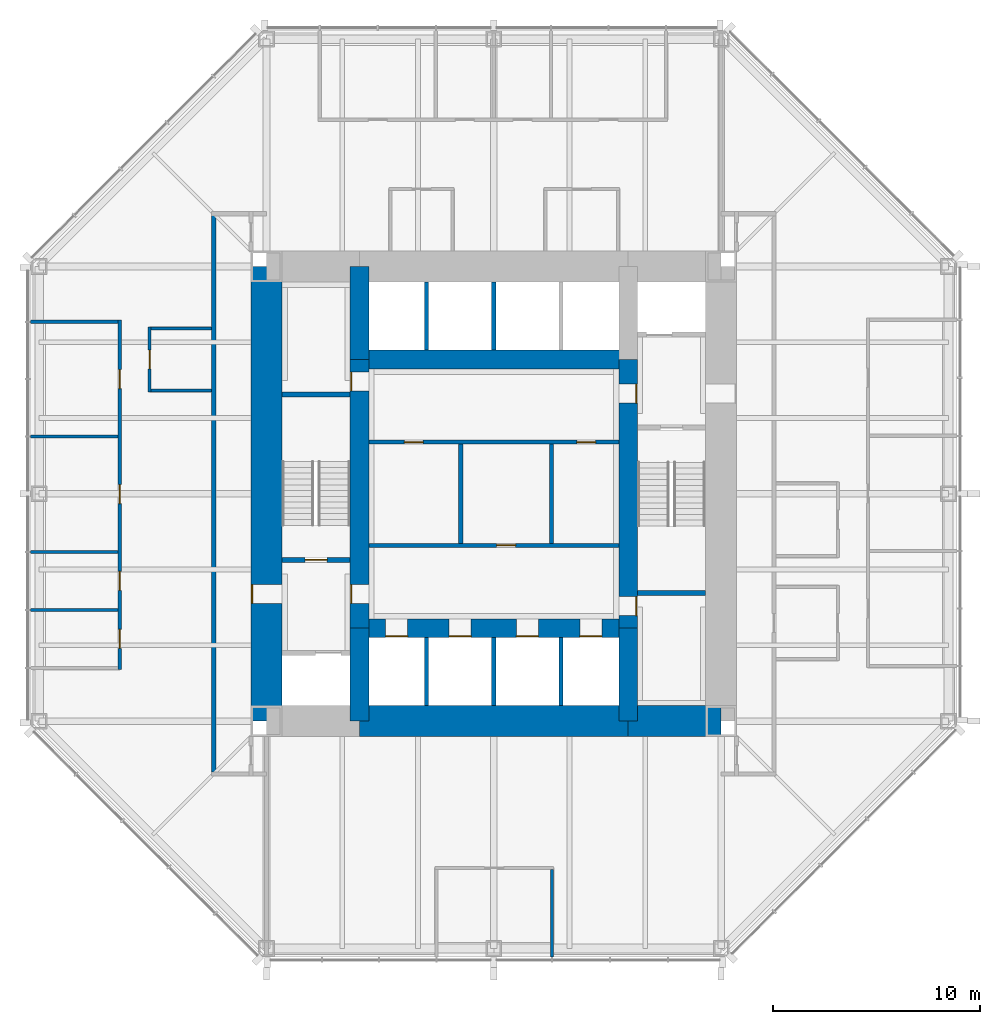
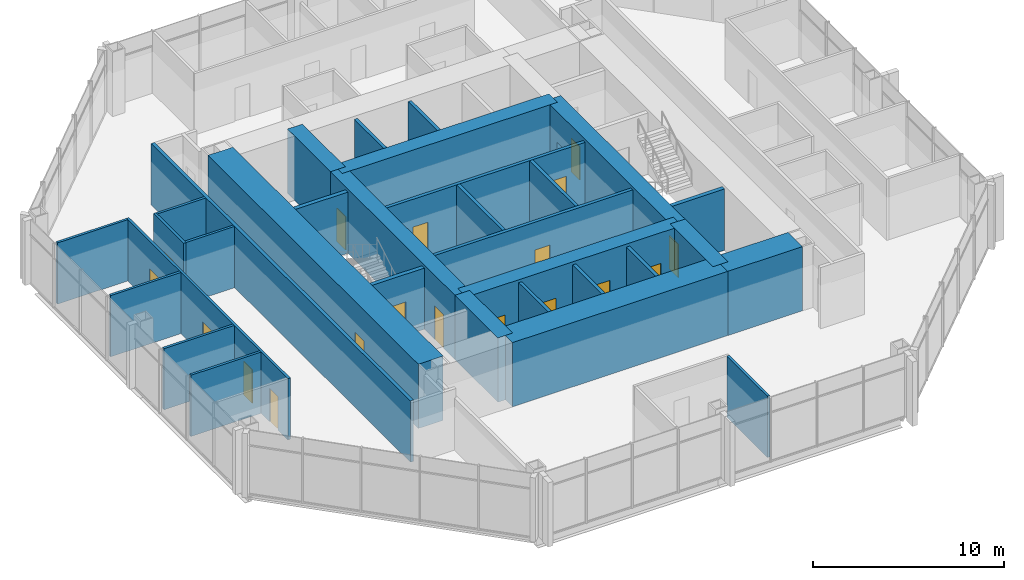
# One storey, part 9 of 12: 32 walls, 18 doors, 18 openings.
"""IFC4 building model written with IfcOpenShell, lengths in metres."""

from ifc_helpers import new_model, si_unit, direction, frame, frame_2d, origin, place, context, subcontext, project, spatial, rectangle, extrude, material, layer, layer_set, type_object, element, fill, save


model = new_model("IFC4")

# Units and contexts
model_context = context("Model", 3, precision=1e-05, world=origin(), true_north=direction((0.0, 1.0)))
body_context = subcontext(model_context, "Body", "Model", "MODEL_VIEW")
ifc_project = project(units=[si_unit("LENGTHUNIT", "METRE"), si_unit("AREAUNIT", "SQUARE_METRE"), si_unit("VOLUMEUNIT", "CUBIC_METRE"), si_unit("PLANEANGLEUNIT", "RADIAN"), si_unit("MASSUNIT", "GRAM", prefix="KILO")], contexts=[model_context])

# Site, building, storey
site_placement = place(None, origin())
site = spatial("IfcSite", under=ifc_project, at=site_placement, CompositionType="ELEMENT")
building_placement = place(site_placement, origin())
building = spatial("IfcBuilding", under=site, at=building_placement, Name="Trevanion Tower", CompositionType="ELEMENT")
storey_placement = place(building_placement, frame((0.0, 0.0, 125.39990234375)))
storey = spatial("IfcBuildingStorey", under=building, at=storey_placement, Name="L29", CompositionType="ELEMENT", Elevation=125.39990234375)

# Wall, opening, door
ifc_material_1 = material(Name="Concrete 10,000 psi", Category="concrete")
ifc_layer_1 = layer(ifc_material_1, 1.5)
ifc_layer_set_1 = layer_set([ifc_layer_1], Name="CW1 core wall 1500")
wall_type_1 = type_object("IfcWallType", Name="CW1 core wall 1500", PredefinedType="SHEAR", material=ifc_layer_set_1)
wall_1_placement = place(storey_placement, frame((-11.0, 11.0, 0.0), z_axis=(0.0, 0.0, 1.0), x_axis=(0.0, -1.0, 0.0)))
wall_1 = element("IfcWall", 1, at=wall_1_placement, inside=storey, type_object=wall_type_1, Name="CW1 CW L29", PredefinedType="SHEAR", context=body_context, shape_type="SweptSolid", body=[
    extrude(rectangle(XDim=22.0, YDim=1.5, at=frame_2d((11.0, 0.0))), origin(), (0.0, 0.0, 1.0), 4.10009765625),
])
opening_1_placement = place(wall_1_placement, frame((15.392578125, 0.0, 0.0)))
opening_1 = element("IfcOpeningElement", 2, at=opening_1_placement, cuts=wall_1, Name="Opening 29-002", PredefinedType="OPENING", context=body_context, shape_type="SweptSolid", body=[
    extrude(rectangle(XDim=0.9150390625, YDim=2.134033203125, at=frame_2d((0.45751953125, 1.06689453125))), frame((0.0, 0.760009765625, 0.0), z_axis=(0.0, -1.0, 0.0), x_axis=(1.0, 0.0, 0.0)), (0.0, 0.0, 1.0), 1.52001953125),
])
ifc_material_2 = material(Name="Hollow metal, fire rated", Category="steel")
door_type_1 = type_object("IfcDoorType", Name="D3 fire lift lobby door", OperationType="SINGLE_SWING_RIGHT", PredefinedType="DOOR", material=ifc_material_2)
door_1_placement = place(opening_1_placement, origin())
door_1 = element("IfcDoor", 3, at=door_1_placement, inside=storey, type_object=door_type_1, Name="Door 29-002", OperationType="SINGLE_SWING_RIGHT", OverallHeight=2.134033203125, OverallWidth=0.9150390625, PredefinedType="DOOR", context=body_context, shape_type="SweptSolid", body=[
    extrude(rectangle(XDim=0.9150390625, YDim=2.134033203125, at=frame_2d((0.45751953125, 1.06689453125))), frame((0.0, -0.6748046875, 0.0), z_axis=(0.0, -1.0, 0.0), x_axis=(1.0, 0.0, 0.0)), (0.0, 0.0, 1.0), 0.050048828125),
])
fill(opening_1, door_1)

# Walls
wall_2_placement = place(storey_placement, frame((-6.5, -11.0, 0.0), z_axis=(0.0, 0.0, 1.0), x_axis=(1.0, 0.0, 0.0)))
element("IfcWall", 4, at=wall_2_placement, inside=storey, type_object=wall_type_1, Name="CW1 CS2 L29", PredefinedType="SHEAR", context=body_context, shape_type="SweptSolid", body=[
    extrude(rectangle(XDim=13.0, YDim=1.5, at=frame_2d((6.5, 0.0))), origin(), (0.0, 0.0, 1.0), 4.10009765625),
])
wall_3_placement = place(storey_placement, frame((6.5, -11.0, 0.0), z_axis=(0.0, 0.0, 1.0), x_axis=(1.0, 0.0, 0.0)))
element("IfcWall", 5, at=wall_3_placement, inside=storey, type_object=wall_type_1, Name="CW1 CS3 L29", PredefinedType="SHEAR", context=body_context, shape_type="SweptSolid", body=[
    extrude(rectangle(XDim=4.5, YDim=1.5, at=frame_2d((2.25, 0.0))), origin(), (0.0, 0.0, 1.0), 4.10009765625),
])
ifc_material_3 = material(Name="Concrete 10,000 psi", Category="concrete")
ifc_layer_2 = layer(ifc_material_3, 0.89990234375)
ifc_layer_set_2 = layer_set([ifc_layer_2], Name="CW2 core wall 900")
wall_type_2 = type_object("IfcWallType", Name="CW2 core wall 900", PredefinedType="SHEAR", material=ifc_layer_set_2)
wall_4_placement = place(storey_placement, frame((6.5, -11.0, 0.0), z_axis=(0.0, 0.0, 1.0), x_axis=(0.0, 1.0, 0.0)))
element("IfcWall", 6, at=wall_4_placement, inside=storey, type_object=wall_type_2, Name="CW2 RE1 L29", PredefinedType="SHEAR", context=body_context, shape_type="SweptSolid", body=[
    extrude(rectangle(XDim=4.5, YDim=0.89990234375, at=frame_2d((2.25, 0.0))), origin(), (0.0, 0.0, 1.0), 4.10009765625),
])

# Wall, openings, doors
wall_5_placement = place(storey_placement, frame((6.5, -6.5, 0.0), z_axis=(0.0, 0.0, 1.0), x_axis=(0.0, 1.0, 0.0)))
wall_5 = element("IfcWall", 7, at=wall_5_placement, inside=storey, type_object=wall_type_2, Name="CW2 RE2 L29", PredefinedType="SHEAR", context=body_context, shape_type="SweptSolid", body=[
    extrude(rectangle(XDim=13.0, YDim=0.89990234375, at=frame_2d((6.5, 0.0))), origin(), (0.0, 0.0, 1.0), 4.10009765625),
])
opening_2_placement = place(wall_5_placement, frame((10.892578125, 0.0, 0.0)))
opening_2 = element("IfcOpeningElement", 8, at=opening_2_placement, cuts=wall_5, Name="Opening 29-003", PredefinedType="OPENING", context=body_context, shape_type="SweptSolid", body=[
    extrude(rectangle(XDim=0.9150390625, YDim=2.134033203125, at=frame_2d((0.45751953125, 1.06689453125))), frame((0.0, 0.4599609375, 0.0), z_axis=(0.0, -1.0, 0.0), x_axis=(1.0, 0.0, 0.0)), (0.0, 0.0, 1.0), 0.919921875),
])
opening_3_placement = place(wall_5_placement, frame((0.610107421875, 0.0, 0.0)))
opening_3 = element("IfcOpeningElement", 9, at=opening_3_placement, cuts=wall_5, Name="Opening 29-009", PredefinedType="OPENING", context=body_context, shape_type="SweptSolid", body=[
    extrude(rectangle(XDim=0.9150390625, YDim=2.134033203125, at=frame_2d((0.45751953125, 1.06689453125))), frame((0.0, 0.4599609375, 0.0), z_axis=(0.0, -1.0, 0.0), x_axis=(1.0, 0.0, 0.0)), (0.0, 0.0, 1.0), 0.919921875),
])
door_2_placement = place(opening_2_placement, origin())
door_2 = element("IfcDoor", 10, at=door_2_placement, inside=storey, type_object=door_type_1, Name="Door 29-003", OperationType="SINGLE_SWING_RIGHT", OverallHeight=2.134033203125, OverallWidth=0.9150390625, PredefinedType="DOOR", context=body_context, shape_type="SweptSolid", body=[
    extrude(rectangle(XDim=0.9150390625, YDim=2.134033203125, at=frame_2d((0.45751953125, 1.06689453125))), frame((0.0, -0.375, 0.0), z_axis=(0.0, -1.0, 0.0), x_axis=(1.0, 0.0, 0.0)), (0.0, 0.0, 1.0), 0.050048828125),
])
fill(opening_2, door_2)
ifc_material_4 = material(Name="Hollow metal, fire rated", Category="steel")
door_type_2 = type_object("IfcDoorType", Name="D5 service room door", OperationType="SINGLE_SWING_RIGHT", PredefinedType="DOOR", material=ifc_material_4)
door_3_placement = place(opening_3_placement, origin())
door_3 = element("IfcDoor", 11, at=door_3_placement, inside=storey, type_object=door_type_2, Name="Door 29-009", OperationType="SINGLE_SWING_RIGHT", OverallHeight=2.134033203125, OverallWidth=0.9150390625, PredefinedType="DOOR", context=body_context, shape_type="SweptSolid", body=[
    extrude(rectangle(XDim=0.9150390625, YDim=2.134033203125, at=frame_2d((0.45751953125, 1.06689453125))), frame((0.0, -0.375, 0.0), z_axis=(0.0, -1.0, 0.0), x_axis=(1.0, 0.0, 0.0)), (0.0, 0.0, 1.0), 0.050048828125),
])
fill(opening_3, door_3)

# Wall
wall_6_placement = place(storey_placement, frame((-6.5, 11.0, 0.0), z_axis=(0.0, 0.0, 1.0), x_axis=(0.0, -1.0, 0.0)))
element("IfcWall", 12, at=wall_6_placement, inside=storey, type_object=wall_type_2, Name="CW2 RW1 L29", PredefinedType="SHEAR", context=body_context, shape_type="SweptSolid", body=[
    extrude(rectangle(XDim=4.5, YDim=0.89990234375, at=frame_2d((2.25, 0.0))), origin(), (0.0, 0.0, 1.0), 4.10009765625),
])

# Wall, openings, doors
wall_7_placement = place(storey_placement, frame((-6.5, 6.5, 0.0), z_axis=(0.0, 0.0, 1.0), x_axis=(0.0, -1.0, 0.0)))
wall_7 = element("IfcWall", 13, at=wall_7_placement, inside=storey, type_object=wall_type_2, Name="CW2 RW2 L29", PredefinedType="SHEAR", context=body_context, shape_type="SweptSolid", body=[
    extrude(rectangle(XDim=13.0, YDim=0.89990234375, at=frame_2d((6.5, 0.0))), origin(), (0.0, 0.0, 1.0), 4.10009765625),
])
opening_4_placement = place(wall_7_placement, frame((10.892578125, 0.0, 0.0)))
opening_4 = element("IfcOpeningElement", 14, at=opening_4_placement, cuts=wall_7, Name="Opening 29-004", PredefinedType="OPENING", context=body_context, shape_type="SweptSolid", body=[
    extrude(rectangle(XDim=0.9150390625, YDim=2.134033203125, at=frame_2d((0.45751953125, 1.06689453125))), frame((0.0, 0.4599609375, 0.0), z_axis=(0.0, -1.0, 0.0), x_axis=(1.0, 0.0, 0.0)), (0.0, 0.0, 1.0), 0.919921875),
])
opening_5_placement = place(wall_7_placement, frame((0.610107421875, 0.0, 0.0)))
opening_5 = element("IfcOpeningElement", 15, at=opening_5_placement, cuts=wall_7, Name="Opening 29-010", PredefinedType="OPENING", context=body_context, shape_type="SweptSolid", body=[
    extrude(rectangle(XDim=0.9150390625, YDim=2.134033203125, at=frame_2d((0.45751953125, 1.06689453125))), frame((0.0, 0.4599609375, 0.0), z_axis=(0.0, -1.0, 0.0), x_axis=(1.0, 0.0, 0.0)), (0.0, 0.0, 1.0), 0.919921875),
])
door_4_placement = place(opening_4_placement, origin())
door_4 = element("IfcDoor", 16, at=door_4_placement, inside=storey, type_object=door_type_1, Name="Door 29-004", OperationType="SINGLE_SWING_RIGHT", OverallHeight=2.134033203125, OverallWidth=0.9150390625, PredefinedType="DOOR", context=body_context, shape_type="SweptSolid", body=[
    extrude(rectangle(XDim=0.9150390625, YDim=2.134033203125, at=frame_2d((0.45751953125, 1.06689453125))), frame((0.0, -0.375, 0.0), z_axis=(0.0, -1.0, 0.0), x_axis=(1.0, 0.0, 0.0)), (0.0, 0.0, 1.0), 0.050048828125),
])
fill(opening_4, door_4)
door_5_placement = place(opening_5_placement, origin())
door_5 = element("IfcDoor", 17, at=door_5_placement, inside=storey, type_object=door_type_2, Name="Door 29-010", OperationType="SINGLE_SWING_RIGHT", OverallHeight=2.134033203125, OverallWidth=0.9150390625, PredefinedType="DOOR", context=body_context, shape_type="SweptSolid", body=[
    extrude(rectangle(XDim=0.9150390625, YDim=2.134033203125, at=frame_2d((0.45751953125, 1.06689453125))), frame((0.0, -0.375, 0.0), z_axis=(0.0, -1.0, 0.0), x_axis=(1.0, 0.0, 0.0)), (0.0, 0.0, 1.0), 0.050048828125),
])
fill(opening_5, door_5)

# Walls
wall_8_placement = place(storey_placement, frame((-6.5, -6.5, 0.0), z_axis=(0.0, 0.0, 1.0), x_axis=(0.0, -1.0, 0.0)))
element("IfcWall", 18, at=wall_8_placement, inside=storey, type_object=wall_type_2, Name="CW2 RW3 L29", PredefinedType="SHEAR", context=body_context, shape_type="SweptSolid", body=[
    extrude(rectangle(XDim=4.5, YDim=0.89990234375, at=frame_2d((2.25, 0.0))), origin(), (0.0, 0.0, 1.0), 4.10009765625),
])
wall_9_placement = place(storey_placement, frame((6.5, 6.5, 0.0), z_axis=(0.0, 0.0, 1.0), x_axis=(-1.0, 0.0, 0.0)))
element("IfcWall", 19, at=wall_9_placement, inside=storey, type_object=wall_type_2, Name="CW2 RN L29", PredefinedType="SHEAR", context=body_context, shape_type="SweptSolid", body=[
    extrude(rectangle(XDim=13.0, YDim=0.89990234375, at=frame_2d((6.5, 0.0))), origin(), (0.0, 0.0, 1.0), 4.10009765625),
])

# Wall, openings, doors
wall_10_placement = place(storey_placement, frame((-6.5, -6.5, 0.0), z_axis=(0.0, 0.0, 1.0), x_axis=(1.0, 0.0, 0.0)))
wall_10 = element("IfcWall", 20, at=wall_10_placement, inside=storey, type_object=wall_type_2, Name="CW2 RS L29", PredefinedType="SHEAR", context=body_context, shape_type="SweptSolid", body=[
    extrude(rectangle(XDim=13.0, YDim=0.89990234375, at=frame_2d((6.5, 0.0))), origin(), (0.0, 0.0, 1.0), 4.10009765625),
])
opening_6_placement = place(wall_10_placement, frame((1.2666015625, 0.0, 0.0)))
opening_6 = element("IfcOpeningElement", 21, at=opening_6_placement, cuts=wall_10, Name="Opening 29-011", PredefinedType="OPENING", context=body_context, shape_type="SweptSolid", body=[
    extrude(rectangle(XDim=1.06689453125, YDim=2.134033203125, at=frame_2d((0.533447265625, 1.06689453125))), frame((0.0, 0.4599609375, 0.0), z_axis=(0.0, -1.0, 0.0), x_axis=(1.0, 0.0, 0.0)), (0.0, 0.0, 1.0), 0.919921875),
])
opening_7_placement = place(wall_10_placement, frame((4.341552734375, 0.0, 0.0)))
opening_7 = element("IfcOpeningElement", 22, at=opening_7_placement, cuts=wall_10, Name="Opening 29-012", PredefinedType="OPENING", context=body_context, shape_type="SweptSolid", body=[
    extrude(rectangle(XDim=1.06689453125, YDim=2.134033203125, at=frame_2d((0.533447265625, 1.06689453125))), frame((0.0, 0.4599609375, 0.0), z_axis=(0.0, -1.0, 0.0), x_axis=(1.0, 0.0, 0.0)), (0.0, 0.0, 1.0), 0.919921875),
])
opening_8_placement = place(wall_10_placement, frame((7.591552734375, 0.0, 0.0)))
opening_8 = element("IfcOpeningElement", 23, at=opening_8_placement, cuts=wall_10, Name="Opening 29-013", PredefinedType="OPENING", context=body_context, shape_type="SweptSolid", body=[
    extrude(rectangle(XDim=1.06689453125, YDim=2.134033203125, at=frame_2d((0.533447265625, 1.06689453125))), frame((0.0, 0.4599609375, 0.0), z_axis=(0.0, -1.0, 0.0), x_axis=(1.0, 0.0, 0.0)), (0.0, 0.0, 1.0), 0.919921875),
])
opening_9_placement = place(wall_10_placement, frame((10.66650390625, 0.0, 0.0)))
opening_9 = element("IfcOpeningElement", 24, at=opening_9_placement, cuts=wall_10, Name="Opening 29-014", PredefinedType="OPENING", context=body_context, shape_type="SweptSolid", body=[
    extrude(rectangle(XDim=1.06689453125, YDim=2.134033203125, at=frame_2d((0.533447265625, 1.06689453125))), frame((0.0, 0.4599609375, 0.0), z_axis=(0.0, -1.0, 0.0), x_axis=(1.0, 0.0, 0.0)), (0.0, 0.0, 1.0), 0.919921875),
])
ifc_material_5 = material(Name="Stainless steel, fire rated", Category="steel")
door_type_3 = type_object("IfcDoorType", Name="LD1 lift landing door", OperationType="SLIDING_TO_LEFT", PredefinedType="DOOR", material=ifc_material_5)
door_6_placement = place(opening_6_placement, origin())
door_6 = element("IfcDoor", 25, at=door_6_placement, inside=storey, type_object=door_type_3, Name="Door 29-011", OperationType="SLIDING_TO_LEFT", OverallHeight=2.134033203125, OverallWidth=1.06689453125, PredefinedType="DOOR", context=body_context, shape_type="SweptSolid", body=[
    extrude(rectangle(XDim=1.06689453125, YDim=2.134033203125, at=frame_2d((0.533447265625, 1.06689453125))), frame((0.0, -0.375, 0.0), z_axis=(0.0, -1.0, 0.0), x_axis=(1.0, 0.0, 0.0)), (0.0, 0.0, 1.0), 0.050048828125),
])
fill(opening_6, door_6)
door_7_placement = place(opening_7_placement, origin())
door_7 = element("IfcDoor", 26, at=door_7_placement, inside=storey, type_object=door_type_3, Name="Door 29-012", OperationType="SLIDING_TO_LEFT", OverallHeight=2.134033203125, OverallWidth=1.06689453125, PredefinedType="DOOR", context=body_context, shape_type="SweptSolid", body=[
    extrude(rectangle(XDim=1.06689453125, YDim=2.134033203125, at=frame_2d((0.533447265625, 1.06689453125))), frame((0.0, -0.375, 0.0), z_axis=(0.0, -1.0, 0.0), x_axis=(1.0, 0.0, 0.0)), (0.0, 0.0, 1.0), 0.050048828125),
])
fill(opening_7, door_7)
door_8_placement = place(opening_8_placement, origin())
door_8 = element("IfcDoor", 27, at=door_8_placement, inside=storey, type_object=door_type_3, Name="Door 29-013", OperationType="SLIDING_TO_LEFT", OverallHeight=2.134033203125, OverallWidth=1.06689453125, PredefinedType="DOOR", context=body_context, shape_type="SweptSolid", body=[
    extrude(rectangle(XDim=1.06689453125, YDim=2.134033203125, at=frame_2d((0.533447265625, 1.06689453125))), frame((0.0, -0.375, 0.0), z_axis=(0.0, -1.0, 0.0), x_axis=(1.0, 0.0, 0.0)), (0.0, 0.0, 1.0), 0.050048828125),
])
fill(opening_8, door_8)
door_9_placement = place(opening_9_placement, origin())
door_9 = element("IfcDoor", 28, at=door_9_placement, inside=storey, type_object=door_type_3, Name="Door 29-014", OperationType="SLIDING_TO_LEFT", OverallHeight=2.134033203125, OverallWidth=1.06689453125, PredefinedType="DOOR", context=body_context, shape_type="SweptSolid", body=[
    extrude(rectangle(XDim=1.06689453125, YDim=2.134033203125, at=frame_2d((0.533447265625, 1.06689453125))), frame((0.0, -0.375, 0.0), z_axis=(0.0, -1.0, 0.0), x_axis=(1.0, 0.0, 0.0)), (0.0, 0.0, 1.0), 0.050048828125),
])
fill(opening_9, door_9)

ifc_material_6 = material(Name="Gypsum board on steel studs", Category="steel")
ifc_layer_3 = layer(ifc_material_6, 0.14990234375)
ifc_layer_set_3 = layer_set([ifc_layer_3], Name="PT1 partition 150")
wall_type_3 = type_object("IfcWallType", Name="PT1 partition 150", PredefinedType="PARTITIONING", material=ifc_layer_set_3)
wall_11_placement = place(storey_placement, frame((-18.10009765625, 8.39794921875, 0.0), z_axis=(0.0, 0.0, 1.0), x_axis=(0.0, -1.0, 0.0)))
wall_11 = element("IfcWall", 29, at=wall_11_placement, inside=storey, type_object=wall_type_3, Name="PT1 L29 FC2F", PredefinedType="PARTITIONING", context=body_context, shape_type="SweptSolid", body=[
    extrude(rectangle(XDim=16.89404296875, YDim=0.14990234375, at=frame_2d((8.447021484375, 0.0))), origin(), (0.0, 0.0, 1.0), 3.91015625),
])
opening_10_placement = place(wall_11_placement, frame((2.3916015625, 0.0, 0.0)))
opening_10 = element("IfcOpeningElement", 30, at=opening_10_placement, cuts=wall_11, Name="Opening 29-029", PredefinedType="OPENING", context=body_context, shape_type="SweptSolid", body=[
    extrude(rectangle(XDim=0.9150390625, YDim=2.134033203125, at=frame_2d((0.45751953125, 1.06689453125))), frame((0.0, 0.0849609375, 0.0), z_axis=(0.0, -1.0, 0.0), x_axis=(1.0, 0.0, 0.0)), (0.0, 0.0, 1.0), 0.169921875),
])
opening_11_placement = place(wall_11_placement, frame((7.95654296875, 0.0, 0.0)))
opening_11 = element("IfcOpeningElement", 31, at=opening_11_placement, cuts=wall_11, Name="Opening 29-030", PredefinedType="OPENING", context=body_context, shape_type="SweptSolid", body=[
    extrude(rectangle(XDim=0.9150390625, YDim=2.134033203125, at=frame_2d((0.45751953125, 1.06689453125))), frame((0.0, 0.0849609375, 0.0), z_axis=(0.0, -1.0, 0.0), x_axis=(1.0, 0.0, 0.0)), (0.0, 0.0, 1.0), 0.169921875),
])
opening_12_placement = place(wall_11_placement, frame((12.15087890625, 0.0, 0.0)))
opening_12 = element("IfcOpeningElement", 32, at=opening_12_placement, cuts=wall_11, Name="Opening 29-031", PredefinedType="OPENING", context=body_context, shape_type="SweptSolid", body=[
    extrude(rectangle(XDim=0.9150390625, YDim=2.134033203125, at=frame_2d((0.45751953125, 1.06689453125))), frame((0.0, 0.0849609375, 0.0), z_axis=(0.0, -1.0, 0.0), x_axis=(1.0, 0.0, 0.0)), (0.0, 0.0, 1.0), 0.169921875),
])
opening_13_placement = place(wall_11_placement, frame((14.9580078125, 0.0, 0.0)))
opening_13 = element("IfcOpeningElement", 33, at=opening_13_placement, cuts=wall_11, Name="Opening 29-032", PredefinedType="OPENING", context=body_context, shape_type="SweptSolid", body=[
    extrude(rectangle(XDim=0.9150390625, YDim=2.134033203125, at=frame_2d((0.45751953125, 1.06689453125))), frame((0.0, 0.0849609375, 0.0), z_axis=(0.0, -1.0, 0.0), x_axis=(1.0, 0.0, 0.0)), (0.0, 0.0, 1.0), 0.169921875),
])
ifc_material_7 = material(Name="Timber veneer, solid core", Category="wood")
door_type_4 = type_object("IfcDoorType", Name="D1 office and meeting room door", OperationType="SINGLE_SWING_LEFT", PredefinedType="DOOR", material=ifc_material_7)
door_10_placement = place(opening_10_placement, origin())
door_10 = element("IfcDoor", 34, at=door_10_placement, inside=storey, type_object=door_type_4, Name="Door 29-029", OperationType="SINGLE_SWING_LEFT", OverallHeight=2.134033203125, OverallWidth=0.9150390625, PredefinedType="DOOR", context=body_context, shape_type="SweptSolid", body=[
    extrude(rectangle(XDim=0.9150390625, YDim=2.134033203125, at=frame_2d((0.45751953125, 1.06689453125))), frame((0.0, 0.02490234375, 0.0), z_axis=(0.0, -1.0, 0.0), x_axis=(1.0, 0.0, 0.0)), (0.0, 0.0, 1.0), 0.050048828125),
])
fill(opening_10, door_10)
door_11_placement = place(opening_11_placement, origin())
door_11 = element("IfcDoor", 35, at=door_11_placement, inside=storey, type_object=door_type_4, Name="Door 29-030", OperationType="SINGLE_SWING_LEFT", OverallHeight=2.134033203125, OverallWidth=0.9150390625, PredefinedType="DOOR", context=body_context, shape_type="SweptSolid", body=[
    extrude(rectangle(XDim=0.9150390625, YDim=2.134033203125, at=frame_2d((0.45751953125, 1.06689453125))), frame((0.0, 0.02490234375, 0.0), z_axis=(0.0, -1.0, 0.0), x_axis=(1.0, 0.0, 0.0)), (0.0, 0.0, 1.0), 0.050048828125),
])
fill(opening_11, door_11)
door_12_placement = place(opening_12_placement, origin())
door_12 = element("IfcDoor", 36, at=door_12_placement, inside=storey, type_object=door_type_4, Name="Door 29-031", OperationType="SINGLE_SWING_LEFT", OverallHeight=2.134033203125, OverallWidth=0.9150390625, PredefinedType="DOOR", context=body_context, shape_type="SweptSolid", body=[
    extrude(rectangle(XDim=0.9150390625, YDim=2.134033203125, at=frame_2d((0.45751953125, 1.06689453125))), frame((0.0, 0.02490234375, 0.0), z_axis=(0.0, -1.0, 0.0), x_axis=(1.0, 0.0, 0.0)), (0.0, 0.0, 1.0), 0.050048828125),
])
fill(opening_12, door_12)
door_13_placement = place(opening_13_placement, origin())
door_13 = element("IfcDoor", 37, at=door_13_placement, inside=storey, type_object=door_type_4, Name="Door 29-032", OperationType="SINGLE_SWING_LEFT", OverallHeight=2.134033203125, OverallWidth=0.9150390625, PredefinedType="DOOR", context=body_context, shape_type="SweptSolid", body=[
    extrude(rectangle(XDim=0.9150390625, YDim=2.134033203125, at=frame_2d((0.45751953125, 1.06689453125))), frame((0.0, 0.02490234375, 0.0), z_axis=(0.0, -1.0, 0.0), x_axis=(1.0, 0.0, 0.0)), (0.0, 0.0, 1.0), 0.050048828125),
])
fill(opening_13, door_13)

# Walls
for number, where, z_axis, x_axis, name in (
    (38, (-18.175048828125, 8.322998046875, 0.0), (0.0, 0.0, 1.0), (-1.0, 0.0, 0.0), "PT1 L29 FC2S0"),
    (39, (-18.175048828125, 2.77490234375, 0.0), (0.0, 0.0, 1.0), (-1.0, 0.0, 0.0), "PT1 L29 FC2S2"),
    (40, (-18.175048828125, -2.806884765625, 0.0), (0.0, 0.0, 1.0), (-1.0, 0.0, 0.0), "PT1 L29 FC2S4"),
    (41, (-18.175048828125, -5.614013671875, 0.0), (0.0, 0.0, 1.0), (-1.0, 0.0, 0.0), "PT1 L29 FC2S5"),
    (42, (2.806884765625, -18.175048828125, 0.0), (0.0, 0.0, 1.0), (0.0, -1.0, 0.0), "PT1 L29 FC3S2"),
):
    element("IfcWall", number, at=place(storey_placement, frame(where, z_axis=z_axis, x_axis=x_axis)), inside=storey, type_object=wall_type_3, Name=name, PredefinedType="PARTITIONING", context=body_context, shape_type="SweptSolid", body=[
        extrude(rectangle(XDim=4.239990234375, YDim=0.14990234375, at=frame_2d((2.1201171875, 0.0))), origin(), (0.0, 0.0, 1.0), 3.91015625),
    ])

# Wall, opening, door
wall_12_placement = place(storey_placement, frame((-16.64990234375, 8.074951171875, 0.0), z_axis=(0.0, 0.0, 1.0), x_axis=(0.0, -1.0, 0.0)))
wall_12 = element("IfcWall", 43, at=wall_12_placement, inside=storey, type_object=wall_type_3, Name="PT1 L29 IN20F", PredefinedType="PARTITIONING", context=body_context, shape_type="SweptSolid", body=[
    extrude(rectangle(XDim=3.14990234375, YDim=0.14990234375, at=frame_2d((1.574951171875, 0.0))), origin(), (0.0, 0.0, 1.0), 3.91015625),
])
opening_14_placement = place(wall_12_placement, frame((1.117431640625, 0.0, 0.0)))
opening_14 = element("IfcOpeningElement", 44, at=opening_14_placement, cuts=wall_12, Name="Opening 29-039", PredefinedType="OPENING", context=body_context, shape_type="SweptSolid", body=[
    extrude(rectangle(XDim=0.9150390625, YDim=2.134033203125, at=frame_2d((0.45751953125, 1.06689453125))), frame((0.0, 0.0849609375, 0.0), z_axis=(0.0, -1.0, 0.0), x_axis=(1.0, 0.0, 0.0)), (0.0, 0.0, 1.0), 0.169921875),
])
door_14_placement = place(opening_14_placement, origin())
door_14 = element("IfcDoor", 45, at=door_14_placement, inside=storey, type_object=door_type_4, Name="Door 29-039", OperationType="SINGLE_SWING_LEFT", OverallHeight=2.134033203125, OverallWidth=0.9150390625, PredefinedType="DOOR", context=body_context, shape_type="SweptSolid", body=[
    extrude(rectangle(XDim=0.9150390625, YDim=2.134033203125, at=frame_2d((0.45751953125, 1.06689453125))), frame((0.0, 0.02490234375, 0.0), z_axis=(0.0, -1.0, 0.0), x_axis=(1.0, 0.0, 0.0)), (0.0, 0.0, 1.0), 0.050048828125),
])
fill(opening_14, door_14)

# Walls
for number, where, z_axis, x_axis, name in (
    (46, (-16.574951171875, 8.0, 0.0), (0.0, 0.0, 1.0), (1.0, 0.0, 0.0), "PT1 L29 IN20S0"),
    (47, (-16.574951171875, 5.0, 0.0), (0.0, 0.0, 1.0), (1.0, 0.0, 0.0), "PT1 L29 IN20S1"),
):
    element("IfcWall", number, at=place(storey_placement, frame(where, z_axis=z_axis, x_axis=x_axis)), inside=storey, type_object=wall_type_3, Name=name, PredefinedType="PARTITIONING", context=body_context, shape_type="SweptSolid", body=[
        extrude(rectangle(XDim=2.925048828125, YDim=0.14990234375, at=frame_2d((1.46240234375, 0.0))), origin(), (0.0, 0.0, 1.0), 3.91015625),
    ])
ifc_material_8 = material(Name="Concrete masonry, grouted", Category="masonry")
ifc_layer_4 = layer(ifc_material_8, 0.199951171875)
ifc_layer_set_4 = layer_set([ifc_layer_4], Name="PT2 partition 200")
wall_type_4 = type_object("IfcWallType", Name="PT2 partition 200", PredefinedType="PARTITIONING", material=ifc_layer_set_4)
for number, where, z_axis, x_axis, name in (
    (48, (-1.60009765625, -2.39990234375, 0.0), (0.0, 0.0, 1.0), (0.0, 1.0, 0.0), "PT2 L29 TP1"),
    (49, (2.800048828125, -2.39990234375, 0.0), (0.0, 0.0, 1.0), (0.0, 1.0, 0.0), "PT2 L29 TP2"),
):
    element("IfcWall", number, at=place(storey_placement, frame(where, z_axis=z_axis, x_axis=x_axis)), inside=storey, type_object=wall_type_4, Name=name, PredefinedType="PARTITIONING", context=body_context, shape_type="SweptSolid", body=[
        extrude(rectangle(XDim=4.7998046875, YDim=0.199951171875, at=frame_2d((2.39990234375, 0.0))), origin(), (0.0, 0.0, 1.0), 3.91015625),
    ])

# Wall, openings, doors
ifc_material_9 = material(Name="Concrete masonry, grouted", Category="masonry")
ifc_layer_5 = layer(ifc_material_9, 0.199951171875)
ifc_layer_set_5 = layer_set([ifc_layer_5], Name="PT2 partition 200 1 HR")
wall_type_5 = type_object("IfcWallType", Name="PT2 partition 200 1 HR", PredefinedType="PARTITIONING", material=ifc_layer_set_5)
wall_13_placement = place(storey_placement, frame((-6.050048828125, 2.5, 0.0), z_axis=(0.0, 0.0, 1.0), x_axis=(1.0, 0.0, 0.0)))
wall_13 = element("IfcWall", 50, at=wall_13_placement, inside=storey, type_object=wall_type_5, Name="PT2 L29 CP1", PredefinedType="PARTITIONING", context=body_context, shape_type="SweptSolid", body=[
    extrude(rectangle(XDim=12.10009765625, YDim=0.199951171875, at=frame_2d((6.050048828125, 0.0))), origin(), (0.0, 0.0, 1.0), 3.91015625),
])
opening_15_placement = place(wall_13_placement, frame((1.717529296875, 0.0, 0.0)))
opening_15 = element("IfcOpeningElement", 51, at=opening_15_placement, cuts=wall_13, Name="Opening 29-015", PredefinedType="OPENING", context=body_context, shape_type="SweptSolid", body=[
    extrude(rectangle(XDim=0.9150390625, YDim=2.134033203125, at=frame_2d((0.45751953125, 1.06689453125))), frame((0.0, 0.10986328125, 0.0), z_axis=(0.0, -1.0, 0.0), x_axis=(1.0, 0.0, 0.0)), (0.0, 0.0, 1.0), 0.219970703125),
])
opening_16_placement = place(wall_13_placement, frame((10.0673828125, 0.0, 0.0)))
opening_16 = element("IfcOpeningElement", 52, at=opening_16_placement, cuts=wall_13, Name="Opening 29-017", PredefinedType="OPENING", context=body_context, shape_type="SweptSolid", body=[
    extrude(rectangle(XDim=0.9150390625, YDim=2.134033203125, at=frame_2d((0.45751953125, 1.06689453125))), frame((0.0, 0.10986328125, 0.0), z_axis=(0.0, -1.0, 0.0), x_axis=(1.0, 0.0, 0.0)), (0.0, 0.0, 1.0), 0.219970703125),
])
ifc_material_10 = material(Name="Plastic laminate on fire-rated core", Category="wood")
door_type_5 = type_object("IfcDoorType", Name="D12 toilet door in a one hour wall", OperationType="SINGLE_SWING_LEFT", PredefinedType="DOOR", material=ifc_material_10)
door_15_placement = place(opening_15_placement, origin())
door_15 = element("IfcDoor", 53, at=door_15_placement, inside=storey, type_object=door_type_5, Name="Door 29-015", OperationType="SINGLE_SWING_LEFT", OverallHeight=2.134033203125, OverallWidth=0.9150390625, PredefinedType="DOOR", context=body_context, shape_type="SweptSolid", body=[
    extrude(rectangle(XDim=0.9150390625, YDim=2.134033203125, at=frame_2d((0.45751953125, 1.06689453125))), frame((0.0, 0.02490234375, 0.0), z_axis=(0.0, -1.0, 0.0), x_axis=(1.0, 0.0, 0.0)), (0.0, 0.0, 1.0), 0.050048828125),
])
fill(opening_15, door_15)
door_16_placement = place(opening_16_placement, origin())
door_16 = element("IfcDoor", 54, at=door_16_placement, inside=storey, type_object=door_type_5, Name="Door 29-017", OperationType="SINGLE_SWING_LEFT", OverallHeight=2.134033203125, OverallWidth=0.9150390625, PredefinedType="DOOR", context=body_context, shape_type="SweptSolid", body=[
    extrude(rectangle(XDim=0.9150390625, YDim=2.134033203125, at=frame_2d((0.45751953125, 1.06689453125))), frame((0.0, 0.02490234375, 0.0), z_axis=(0.0, -1.0, 0.0), x_axis=(1.0, 0.0, 0.0)), (0.0, 0.0, 1.0), 0.050048828125),
])
fill(opening_16, door_16)

# Wall, opening, door
wall_14_placement = place(storey_placement, frame((6.050048828125, -2.5, 0.0), z_axis=(0.0, 0.0, 1.0), x_axis=(-1.0, 0.0, 0.0)))
wall_14 = element("IfcWall", 55, at=wall_14_placement, inside=storey, type_object=wall_type_5, Name="PT2 L29 CP2", PredefinedType="PARTITIONING", context=body_context, shape_type="SweptSolid", body=[
    extrude(rectangle(XDim=12.10009765625, YDim=0.199951171875, at=frame_2d((6.050048828125, 0.0))), origin(), (0.0, 0.0, 1.0), 3.91015625),
])
opening_17_placement = place(wall_14_placement, frame((4.992431640625, 0.0, 0.0)))
opening_17 = element("IfcOpeningElement", 56, at=opening_17_placement, cuts=wall_14, Name="Opening 29-016", PredefinedType="OPENING", context=body_context, shape_type="SweptSolid", body=[
    extrude(rectangle(XDim=0.9150390625, YDim=2.134033203125, at=frame_2d((0.45751953125, 1.06689453125))), frame((0.0, 0.10986328125, 0.0), z_axis=(0.0, -1.0, 0.0), x_axis=(1.0, 0.0, 0.0)), (0.0, 0.0, 1.0), 0.219970703125),
])
door_17_placement = place(opening_17_placement, origin())
door_17 = element("IfcDoor", 57, at=door_17_placement, inside=storey, type_object=door_type_5, Name="Door 29-016", OperationType="SINGLE_SWING_LEFT", OverallHeight=2.134033203125, OverallWidth=0.9150390625, PredefinedType="DOOR", context=body_context, shape_type="SweptSolid", body=[
    extrude(rectangle(XDim=0.9150390625, YDim=2.134033203125, at=frame_2d((0.45751953125, 1.06689453125))), frame((0.0, 0.02490234375, 0.0), z_axis=(0.0, -1.0, 0.0), x_axis=(1.0, 0.0, 0.0)), (0.0, 0.0, 1.0), 0.050048828125),
])
fill(opening_17, door_17)

# Walls
wall_15_placement = place(storey_placement, frame((-13.550048828125, 13.64990234375, 0.0), z_axis=(0.0, 0.0, 1.0), x_axis=(0.0, -1.0, 0.0)))
element("IfcWall", 58, at=wall_15_placement, inside=storey, type_object=wall_type_5, Name="PT2 L29 OC2", PredefinedType="PARTITIONING", context=body_context, shape_type="SweptSolid", body=[
    extrude(rectangle(XDim=27.099853515625, YDim=0.199951171875, at=frame_2d((13.5498046875, 0.0))), origin(), (0.0, 0.0, 1.0), 3.91015625),
])
ifc_material_11 = material(Name="Concrete masonry, grouted", Category="masonry")
ifc_layer_6 = layer(ifc_material_11, 0.199951171875)
ifc_layer_set_6 = layer_set([ifc_layer_6], Name="PT2 partition 200 2 HR")
wall_type_6 = type_object("IfcWallType", Name="PT2 partition 200 2 HR", PredefinedType="PARTITIONING", material=ifc_layer_set_6)
for number, where, z_axis, x_axis, name in (
    (59, (-3.25, 6.949951171875, 0.0), (0.0, 0.0, 1.0), (0.0, 1.0, 0.0), "PT2 L29 NS0"),
    (60, (0.0, 6.949951171875, 0.0), (0.0, 0.0, 1.0), (0.0, 1.0, 0.0), "PT2 L29 NS1"),
    (61, (-3.25, -10.25, 0.0), (0.0, 0.0, 1.0), (0.0, 1.0, 0.0), "PT2 L29 SS0"),
    (62, (0.0, -10.25, 0.0), (0.0, 0.0, 1.0), (0.0, 1.0, 0.0), "PT2 L29 SS1"),
    (63, (3.25, -10.25, 0.0), (0.0, 0.0, 1.0), (0.0, 1.0, 0.0), "PT2 L29 SS2"),
):
    element("IfcWall", number, at=place(storey_placement, frame(where, z_axis=z_axis, x_axis=x_axis)), inside=storey, type_object=wall_type_6, Name=name, PredefinedType="PARTITIONING", context=body_context, shape_type="SweptSolid", body=[
        extrude(rectangle(XDim=3.300048828125, YDim=0.199951171875, at=frame_2d((1.64990234375, 0.0))), origin(), (0.0, 0.0, 1.0), 3.91015625),
    ])
ifc_material_12 = material(Name="Reinforced masonry, fully grouted", Category="masonry")
ifc_layer_7 = layer(ifc_material_12, 0.25)
ifc_layer_set_7 = layer_set([ifc_layer_7], Name="SW1 stair shaft wall 250")
wall_type_7 = type_object("IfcWallType", Name="SW1 stair shaft wall 250", PredefinedType="SOLIDWALL", material=ifc_layer_set_7)
for number, where, z_axis, x_axis, name in (
    (64, (6.949951171875, -4.800048828125, 0.0), (0.0, 0.0, 1.0), (1.0, 0.0, 0.0), "SW1 L29 EP1"),
    (65, (-6.949951171875, 4.800048828125, 0.0), (0.0, 0.0, 1.0), (-1.0, 0.0, 0.0), "SW1 L29 WP1"),
):
    element("IfcWall", number, at=place(storey_placement, frame(where, z_axis=z_axis, x_axis=x_axis)), inside=storey, type_object=wall_type_7, Name=name, PredefinedType="SOLIDWALL", context=body_context, shape_type="SweptSolid", body=[
        extrude(rectangle(XDim=3.300048828125, YDim=0.25, at=frame_2d((1.64990234375, 0.0))), origin(), (0.0, 0.0, 1.0), 3.91015625),
    ])

# Wall, opening, door
wall_16_placement = place(storey_placement, frame((-6.949951171875, -3.199951171875, 0.0), z_axis=(0.0, 0.0, 1.0), x_axis=(-1.0, 0.0, 0.0)))
wall_16 = element("IfcWall", 66, at=wall_16_placement, inside=storey, type_object=wall_type_7, Name="SW1 L29 WP2", PredefinedType="SOLIDWALL", context=body_context, shape_type="SweptSolid", body=[
    extrude(rectangle(XDim=3.300048828125, YDim=0.25, at=frame_2d((1.64990234375, 0.0))), origin(), (0.0, 0.0, 1.0), 3.91015625),
])
opening_18_placement = place(wall_16_placement, frame((1.116455078125, 0.0, 0.0)))
opening_18 = element("IfcOpeningElement", 67, at=opening_18_placement, cuts=wall_16, Name="Opening 29-006", PredefinedType="OPENING", context=body_context, shape_type="SweptSolid", body=[
    extrude(rectangle(XDim=1.06689453125, YDim=2.134033203125, at=frame_2d((0.533447265625, 1.06689453125))), frame((0.0, 0.135009765625, 0.0), z_axis=(0.0, -1.0, 0.0), x_axis=(1.0, 0.0, 0.0)), (0.0, 0.0, 1.0), 0.27001953125),
])
ifc_material_13 = material(Name="Hollow metal, fire rated", Category="steel")
door_type_6 = type_object("IfcDoorType", Name="D2 exit stair door", OperationType="SINGLE_SWING_LEFT", PredefinedType="DOOR", material=ifc_material_13)
door_18_placement = place(opening_18_placement, origin())
door_18 = element("IfcDoor", 68, at=door_18_placement, inside=storey, type_object=door_type_6, Name="Door 29-006", OperationType="SINGLE_SWING_LEFT", OverallHeight=2.134033203125, OverallWidth=1.06689453125, PredefinedType="DOOR", context=body_context, shape_type="SweptSolid", body=[
    extrude(rectangle(XDim=1.06689453125, YDim=2.134033203125, at=frame_2d((0.533447265625, 1.06689453125))), frame((0.0, 0.02490234375, 0.0), z_axis=(0.0, -1.0, 0.0), x_axis=(1.0, 0.0, 0.0)), (0.0, 0.0, 1.0), 0.050048828125),
])
fill(opening_18, door_18)

save(model, "model.ifc")
